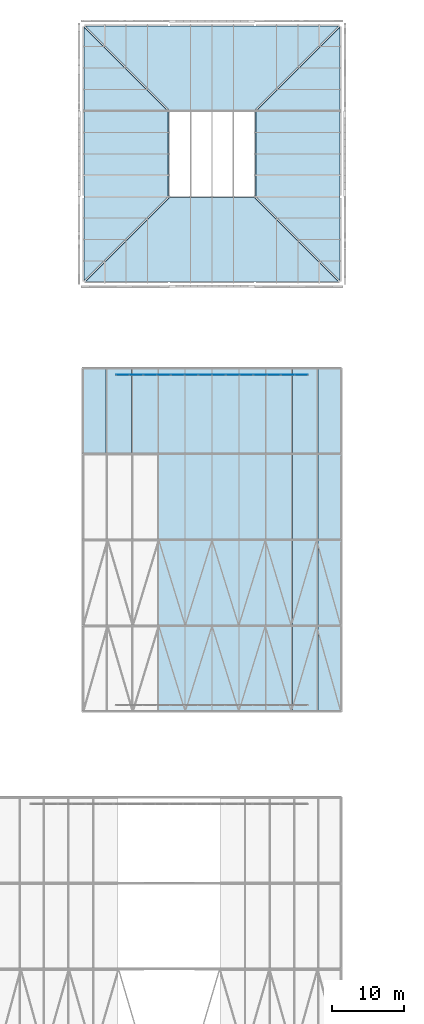
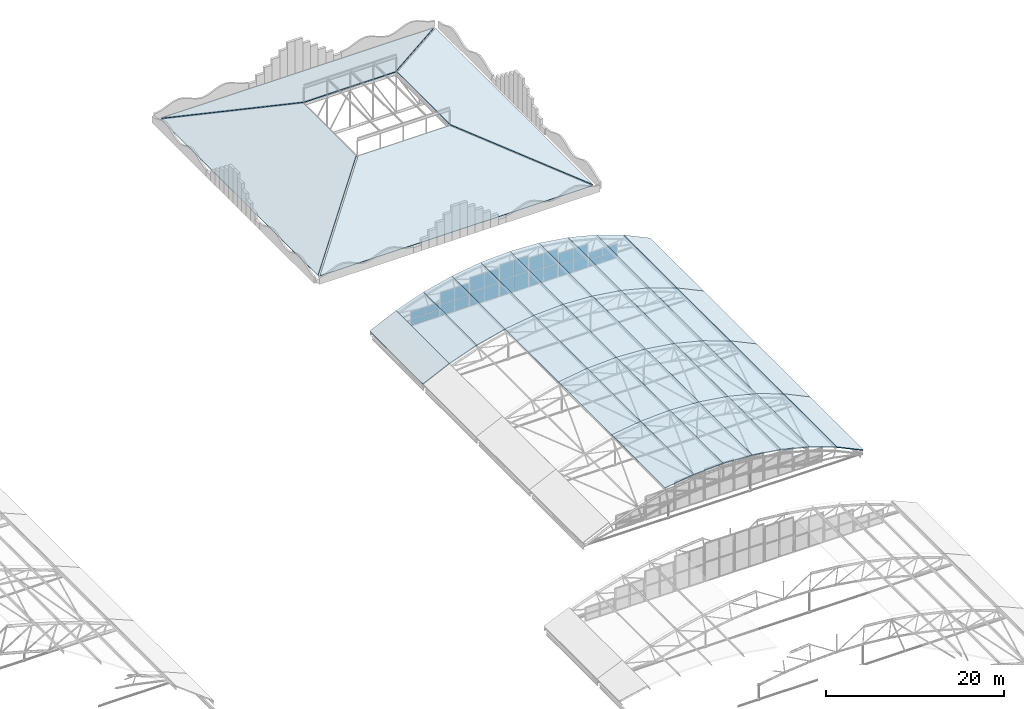
# One storey, part 254 of 321: 35 slabs, 28 plates, 7 elements without a shape of their own.
"""IFC4 building model written with IfcOpenShell, lengths in metres."""

from ifc_helpers import new_model, si_unit, direction, frame, origin, origin_2d, place, context, subcontext, project, spatial, polyline, rectangle, outline, extrude, material, layer, layer_set, type_object, element, aggregate, save


model = new_model("IFC4")

# Units and contexts
model_context = context("Model", 3, precision=1e-05, world=origin(), true_north=direction((0.0, 1.0)))
body_context = subcontext(model_context, "Body", "Model", "MODEL_VIEW")
ifc_project = project(units=[si_unit("LENGTHUNIT", "METRE"), si_unit("AREAUNIT", "SQUARE_METRE"), si_unit("VOLUMEUNIT", "CUBIC_METRE"), si_unit("PLANEANGLEUNIT", "RADIAN"), si_unit("MASSUNIT", "GRAM", prefix="KILO")], contexts=[model_context])

# Site, building, storey
site_placement = place(None, origin())
site = spatial("IfcSite", under=ifc_project, at=site_placement, CompositionType="ELEMENT")
building_placement = place(site_placement, origin())
building = spatial("IfcBuilding", under=site, at=building_placement, Name="Ravi Spectrum Wholesale Market", CompositionType="ELEMENT")
storey_placement = place(building_placement, frame((0.0, 0.0, 10.800048828125)))
storey = spatial("IfcBuildingStorey", under=building, at=storey_placement, Name="L02", CompositionType="ELEMENT", Elevation=10.800048828125)

# Curtain wall, plates
ifc_material_1 = material(Name="Aluminium 6063-T6", Category="aluminium")
ifc_layer_1 = layer(ifc_material_1, 0.14990234375)
ifc_layer_set_1 = layer_set([ifc_layer_1], Name="Aluminium 6063-T6")
curtain_wall_type = type_object("IfcCurtainWallType", Name="Curtain wall 150", PredefinedType="NOTDEFINED", material=ifc_layer_set_1)
curtain_wall_1_placement = place(storey_placement, origin())
curtain_wall_1 = element("IfcCurtainWall", 1, at=curtain_wall_1_placement, inside=storey, type_object=curtain_wall_type, Name="H3-CW-L02-008", PredefinedType="NOTDEFINED")
ifc_material_2 = material(Name="Toughened glass", Category="glass")
ifc_layer_2 = layer(ifc_material_2, 0.028076171875)
ifc_layer_set_2 = layer_set([ifc_layer_2], Name="Toughened glass")
plate_type_1 = type_object("IfcPlateType", Name="Glazing panel 28", PredefinedType="CURTAIN_PANEL", material=ifc_layer_set_2)
plate_1_placement = place(storey_placement, frame((167.510009765625, 185.10009765625, 0.06005859375), z_axis=(0.0, 0.0, 1.0), x_axis=(1.0, 0.0, 0.0)))
plate_1 = element("IfcPlate", 2, at=plate_1_placement, type_object=plate_type_1, Name="H3-CW-L02-008 panel 1.1", PredefinedType="CURTAIN_PANEL", context=body_context, shape_type="SweptSolid", body=[
    extrude(rectangle(XDim=1.796875, YDim=0.028076171875, at=origin_2d()), origin(), (0.0, 0.0, 1.0), 0.909912109375),
])
plate_2_placement = place(storey_placement, frame((167.510009765625, 185.10009765625, 1.02978515625), z_axis=(0.0, 0.0, 1.0), x_axis=(1.0, 0.0, 0.0)))
plate_2 = element("IfcPlate", 3, at=plate_2_placement, type_object=plate_type_1, Name="H3-CW-L02-008 panel 1.2", PredefinedType="CURTAIN_PANEL", context=body_context, shape_type="SweptSolid", body=[
    extrude(rectangle(XDim=1.796875, YDim=0.028076171875, at=origin_2d()), origin(), (0.0, 0.0, 1.0), 0.909912109375),
])
plate_3_placement = place(storey_placement, frame((169.366943359375, 185.10009765625, 0.06005859375), z_axis=(0.0, 0.0, 1.0), x_axis=(1.0, 0.0, 0.0)))
plate_3 = element("IfcPlate", 4, at=plate_3_placement, type_object=plate_type_1, Name="H3-CW-L02-008 panel 2.1", PredefinedType="CURTAIN_PANEL", context=body_context, shape_type="SweptSolid", body=[
    extrude(rectangle(XDim=1.796875, YDim=0.028076171875, at=origin_2d()), origin(), (0.0, 0.0, 1.0), 0.909912109375),
])
plate_4_placement = place(storey_placement, frame((169.366943359375, 185.10009765625, 1.02978515625), z_axis=(0.0, 0.0, 1.0), x_axis=(1.0, 0.0, 0.0)))
plate_4 = element("IfcPlate", 5, at=plate_4_placement, type_object=plate_type_1, Name="H3-CW-L02-008 panel 2.2", PredefinedType="CURTAIN_PANEL", context=body_context, shape_type="SweptSolid", body=[
    extrude(rectangle(XDim=1.796875, YDim=0.028076171875, at=origin_2d()), origin(), (0.0, 0.0, 1.0), 0.909912109375),
])
aggregate(curtain_wall_1, [plate_1, plate_2, plate_3, plate_4])

curtain_wall_2_placement = place(storey_placement, origin())
curtain_wall_2 = element("IfcCurtainWall", 6, at=curtain_wall_2_placement, inside=storey, type_object=curtain_wall_type, Name="H3-CW-L02-009", PredefinedType="NOTDEFINED")
plate_5_placement = place(storey_placement, frame((171.364013671875, 185.10009765625, 0.059814453125), z_axis=(0.0, 0.0, 1.0), x_axis=(1.0, 0.0, 0.0)))
plate_5 = element("IfcPlate", 7, at=plate_5_placement, type_object=plate_type_1, Name="H3-CW-L02-009 panel 1.1", PredefinedType="CURTAIN_PANEL", context=body_context, shape_type="SweptSolid", body=[
    extrude(rectangle(XDim=1.796875, YDim=0.028076171875, at=origin_2d()), origin(), (0.0, 0.0, 1.0), 1.56005859375),
])
plate_6_placement = place(storey_placement, frame((173.220703125, 185.10009765625, 0.059814453125), z_axis=(0.0, 0.0, 1.0), x_axis=(1.0, 0.0, 0.0)))
plate_6 = element("IfcPlate", 8, at=plate_6_placement, type_object=plate_type_1, Name="H3-CW-L02-009 panel 2.1", PredefinedType="CURTAIN_PANEL", context=body_context, shape_type="SweptSolid", body=[
    extrude(rectangle(XDim=1.796875, YDim=0.028076171875, at=origin_2d()), origin(), (0.0, 0.0, 1.0), 1.56005859375),
])

curtain_wall_3_placement = place(storey_placement, origin())
curtain_wall_3 = element("IfcCurtainWall", 9, at=curtain_wall_3_placement, inside=storey, type_object=curtain_wall_type, Name="H3-CW-L02-010", PredefinedType="NOTDEFINED")
plate_7_placement = place(storey_placement, frame((175.2177734375, 185.10009765625, 0.06005859375), z_axis=(0.0, 0.0, 1.0), x_axis=(1.0, 0.0, 0.0)))
plate_7 = element("IfcPlate", 10, at=plate_7_placement, type_object=plate_type_1, Name="H3-CW-L02-010 panel 1.1", PredefinedType="CURTAIN_PANEL", context=body_context, shape_type="SweptSolid", body=[
    extrude(rectangle(XDim=1.796875, YDim=0.028076171875, at=origin_2d()), origin(), (0.0, 0.0, 1.0), 1.909912109375),
])
plate_8_placement = place(storey_placement, frame((177.07470703125, 185.10009765625, 0.06005859375), z_axis=(0.0, 0.0, 1.0), x_axis=(1.0, 0.0, 0.0)))
plate_8 = element("IfcPlate", 11, at=plate_8_placement, type_object=plate_type_1, Name="H3-CW-L02-010 panel 2.1", PredefinedType="CURTAIN_PANEL", context=body_context, shape_type="SweptSolid", body=[
    extrude(rectangle(XDim=1.796875, YDim=0.028076171875, at=origin_2d()), origin(), (0.0, 0.0, 1.0), 1.909912109375),
])

curtain_wall_4_placement = place(storey_placement, origin())
curtain_wall_4 = element("IfcCurtainWall", 12, at=curtain_wall_4_placement, inside=storey, type_object=curtain_wall_type, Name="H3-CW-L02-011", PredefinedType="NOTDEFINED")
plate_9_placement = place(storey_placement, frame((179.071533203125, 185.10009765625, 0.06005859375), z_axis=(0.0, 0.0, 1.0), x_axis=(1.0, 0.0, 0.0)))
plate_9 = element("IfcPlate", 13, at=plate_9_placement, type_object=plate_type_1, Name="H3-CW-L02-011 panel 1.1", PredefinedType="CURTAIN_PANEL", context=body_context, shape_type="SweptSolid", body=[
    extrude(rectangle(XDim=1.796875, YDim=0.028076171875, at=origin_2d()), origin(), (0.0, 0.0, 1.0), 2.110107421875),
])
plate_10_placement = place(storey_placement, frame((180.928466796875, 185.10009765625, 0.06005859375), z_axis=(0.0, 0.0, 1.0), x_axis=(1.0, 0.0, 0.0)))
plate_10 = element("IfcPlate", 14, at=plate_10_placement, type_object=plate_type_1, Name="H3-CW-L02-011 panel 2.1", PredefinedType="CURTAIN_PANEL", context=body_context, shape_type="SweptSolid", body=[
    extrude(rectangle(XDim=1.796875, YDim=0.028076171875, at=origin_2d()), origin(), (0.0, 0.0, 1.0), 2.110107421875),
])

curtain_wall_5_placement = place(storey_placement, origin())
curtain_wall_5 = element("IfcCurtainWall", 15, at=curtain_wall_5_placement, inside=storey, type_object=curtain_wall_type, Name="H3-CW-L02-012", PredefinedType="NOTDEFINED")
plate_11_placement = place(storey_placement, frame((182.92529296875, 185.10009765625, 0.06005859375), z_axis=(0.0, 0.0, 1.0), x_axis=(1.0, 0.0, 0.0)))
plate_11 = element("IfcPlate", 16, at=plate_11_placement, type_object=plate_type_1, Name="H3-CW-L02-012 panel 1.1", PredefinedType="CURTAIN_PANEL", context=body_context, shape_type="SweptSolid", body=[
    extrude(rectangle(XDim=1.796875, YDim=0.028076171875, at=origin_2d()), origin(), (0.0, 0.0, 1.0), 1.909912109375),
])
plate_12_placement = place(storey_placement, frame((184.7822265625, 185.10009765625, 0.06005859375), z_axis=(0.0, 0.0, 1.0), x_axis=(1.0, 0.0, 0.0)))
plate_12 = element("IfcPlate", 17, at=plate_12_placement, type_object=plate_type_1, Name="H3-CW-L02-012 panel 2.1", PredefinedType="CURTAIN_PANEL", context=body_context, shape_type="SweptSolid", body=[
    extrude(rectangle(XDim=1.796875, YDim=0.028076171875, at=origin_2d()), origin(), (0.0, 0.0, 1.0), 1.909912109375),
])

curtain_wall_6_placement = place(storey_placement, origin())
curtain_wall_6 = element("IfcCurtainWall", 18, at=curtain_wall_6_placement, inside=storey, type_object=curtain_wall_type, Name="H3-CW-L02-013", PredefinedType="NOTDEFINED")
plate_13_placement = place(storey_placement, frame((186.779296875, 185.10009765625, 0.059814453125), z_axis=(0.0, 0.0, 1.0), x_axis=(1.0, 0.0, 0.0)))
plate_13 = element("IfcPlate", 19, at=plate_13_placement, type_object=plate_type_1, Name="H3-CW-L02-013 panel 1.1", PredefinedType="CURTAIN_PANEL", context=body_context, shape_type="SweptSolid", body=[
    extrude(rectangle(XDim=1.796875, YDim=0.028076171875, at=origin_2d()), origin(), (0.0, 0.0, 1.0), 1.56005859375),
])
plate_14_placement = place(storey_placement, frame((188.635986328125, 185.10009765625, 0.059814453125), z_axis=(0.0, 0.0, 1.0), x_axis=(1.0, 0.0, 0.0)))
plate_14 = element("IfcPlate", 20, at=plate_14_placement, type_object=plate_type_1, Name="H3-CW-L02-013 panel 2.1", PredefinedType="CURTAIN_PANEL", context=body_context, shape_type="SweptSolid", body=[
    extrude(rectangle(XDim=1.796875, YDim=0.028076171875, at=origin_2d()), origin(), (0.0, 0.0, 1.0), 1.56005859375),
])

curtain_wall_7_placement = place(storey_placement, origin())
curtain_wall_7 = element("IfcCurtainWall", 21, at=curtain_wall_7_placement, inside=storey, type_object=curtain_wall_type, Name="H3-CW-L02-014", PredefinedType="NOTDEFINED")
plate_15_placement = place(storey_placement, frame((190.633056640625, 185.10009765625, 0.06005859375), z_axis=(0.0, 0.0, 1.0), x_axis=(1.0, 0.0, 0.0)))
plate_15 = element("IfcPlate", 22, at=plate_15_placement, type_object=plate_type_1, Name="H3-CW-L02-014 panel 1.1", PredefinedType="CURTAIN_PANEL", context=body_context, shape_type="SweptSolid", body=[
    extrude(rectangle(XDim=1.796875, YDim=0.028076171875, at=origin_2d()), origin(), (0.0, 0.0, 1.0), 0.909912109375),
])
plate_16_placement = place(storey_placement, frame((190.633056640625, 185.10009765625, 1.02978515625), z_axis=(0.0, 0.0, 1.0), x_axis=(1.0, 0.0, 0.0)))
plate_16 = element("IfcPlate", 23, at=plate_16_placement, type_object=plate_type_1, Name="H3-CW-L02-014 panel 1.2", PredefinedType="CURTAIN_PANEL", context=body_context, shape_type="SweptSolid", body=[
    extrude(rectangle(XDim=1.796875, YDim=0.028076171875, at=origin_2d()), origin(), (0.0, 0.0, 1.0), 0.909912109375),
])
plate_17_placement = place(storey_placement, frame((192.489990234375, 185.10009765625, 0.06005859375), z_axis=(0.0, 0.0, 1.0), x_axis=(1.0, 0.0, 0.0)))
plate_17 = element("IfcPlate", 24, at=plate_17_placement, type_object=plate_type_1, Name="H3-CW-L02-014 panel 2.1", PredefinedType="CURTAIN_PANEL", context=body_context, shape_type="SweptSolid", body=[
    extrude(rectangle(XDim=1.796875, YDim=0.028076171875, at=origin_2d()), origin(), (0.0, 0.0, 1.0), 0.909912109375),
])
plate_18_placement = place(storey_placement, frame((192.489990234375, 185.10009765625, 1.02978515625), z_axis=(0.0, 0.0, 1.0), x_axis=(1.0, 0.0, 0.0)))
plate_18 = element("IfcPlate", 25, at=plate_18_placement, type_object=plate_type_1, Name="H3-CW-L02-014 panel 2.2", PredefinedType="CURTAIN_PANEL", context=body_context, shape_type="SweptSolid", body=[
    extrude(rectangle(XDim=1.796875, YDim=0.028076171875, at=origin_2d()), origin(), (0.0, 0.0, 1.0), 0.909912109375),
])
aggregate(curtain_wall_7, [plate_15, plate_16, plate_17, plate_18])

# Plate
ifc_material_3 = material(Name="Insulated panel")
ifc_layer_3 = layer(ifc_material_3, 0.028076171875)
ifc_layer_set_3 = layer_set([ifc_layer_3], Name="Insulated panel")
plate_type_2 = type_object("IfcPlateType", Name="Opaque insulated panel 28", PredefinedType="CURTAIN_PANEL", material=ifc_layer_set_3)
plate_19_placement = place(storey_placement, frame((171.364013671875, 185.10009765625, 1.679931640625), z_axis=(0.0, 0.0, 1.0), x_axis=(1.0, 0.0, 0.0)))
plate_19 = element("IfcPlate", 26, at=plate_19_placement, type_object=plate_type_2, Name="H3-CW-L02-009 panel 1.2", PredefinedType="CURTAIN_PANEL", context=body_context, shape_type="SweptSolid", body=[
    extrude(rectangle(XDim=1.796875, YDim=0.028076171875, at=origin_2d()), origin(), (0.0, 0.0, 1.0), 1.56005859375),
])

plate_20_placement = place(storey_placement, frame((173.220703125, 185.10009765625, 1.679931640625), z_axis=(0.0, 0.0, 1.0), x_axis=(1.0, 0.0, 0.0)))
plate_20 = element("IfcPlate", 27, at=plate_20_placement, type_object=plate_type_2, Name="H3-CW-L02-009 panel 2.2", PredefinedType="CURTAIN_PANEL", context=body_context, shape_type="SweptSolid", body=[
    extrude(rectangle(XDim=1.796875, YDim=0.028076171875, at=origin_2d()), origin(), (0.0, 0.0, 1.0), 1.56005859375),
])

aggregate(curtain_wall_2, [plate_5, plate_19, plate_6, plate_20])

plate_21_placement = place(storey_placement, frame((175.2177734375, 185.10009765625, 2.02978515625), z_axis=(0.0, 0.0, 1.0), x_axis=(1.0, 0.0, 0.0)))
plate_21 = element("IfcPlate", 28, at=plate_21_placement, type_object=plate_type_2, Name="H3-CW-L02-010 panel 1.2", PredefinedType="CURTAIN_PANEL", context=body_context, shape_type="SweptSolid", body=[
    extrude(rectangle(XDim=1.796875, YDim=0.028076171875, at=origin_2d()), origin(), (0.0, 0.0, 1.0), 1.909912109375),
])

plate_22_placement = place(storey_placement, frame((177.07470703125, 185.10009765625, 2.02978515625), z_axis=(0.0, 0.0, 1.0), x_axis=(1.0, 0.0, 0.0)))
plate_22 = element("IfcPlate", 29, at=plate_22_placement, type_object=plate_type_2, Name="H3-CW-L02-010 panel 2.2", PredefinedType="CURTAIN_PANEL", context=body_context, shape_type="SweptSolid", body=[
    extrude(rectangle(XDim=1.796875, YDim=0.028076171875, at=origin_2d()), origin(), (0.0, 0.0, 1.0), 1.909912109375),
])

aggregate(curtain_wall_3, [plate_7, plate_21, plate_8, plate_22])

plate_23_placement = place(storey_placement, frame((179.071533203125, 185.10009765625, 2.22998046875), z_axis=(0.0, 0.0, 1.0), x_axis=(1.0, 0.0, 0.0)))
plate_23 = element("IfcPlate", 30, at=plate_23_placement, type_object=plate_type_2, Name="H3-CW-L02-011 panel 1.2", PredefinedType="CURTAIN_PANEL", context=body_context, shape_type="SweptSolid", body=[
    extrude(rectangle(XDim=1.796875, YDim=0.028076171875, at=origin_2d()), origin(), (0.0, 0.0, 1.0), 2.110107421875),
])

plate_24_placement = place(storey_placement, frame((180.928466796875, 185.10009765625, 2.22998046875), z_axis=(0.0, 0.0, 1.0), x_axis=(1.0, 0.0, 0.0)))
plate_24 = element("IfcPlate", 31, at=plate_24_placement, type_object=plate_type_2, Name="H3-CW-L02-011 panel 2.2", PredefinedType="CURTAIN_PANEL", context=body_context, shape_type="SweptSolid", body=[
    extrude(rectangle(XDim=1.796875, YDim=0.028076171875, at=origin_2d()), origin(), (0.0, 0.0, 1.0), 2.110107421875),
])

aggregate(curtain_wall_4, [plate_9, plate_23, plate_10, plate_24])

plate_25_placement = place(storey_placement, frame((182.92529296875, 185.10009765625, 2.02978515625), z_axis=(0.0, 0.0, 1.0), x_axis=(1.0, 0.0, 0.0)))
plate_25 = element("IfcPlate", 32, at=plate_25_placement, type_object=plate_type_2, Name="H3-CW-L02-012 panel 1.2", PredefinedType="CURTAIN_PANEL", context=body_context, shape_type="SweptSolid", body=[
    extrude(rectangle(XDim=1.796875, YDim=0.028076171875, at=origin_2d()), origin(), (0.0, 0.0, 1.0), 1.909912109375),
])

plate_26_placement = place(storey_placement, frame((184.7822265625, 185.10009765625, 2.02978515625), z_axis=(0.0, 0.0, 1.0), x_axis=(1.0, 0.0, 0.0)))
plate_26 = element("IfcPlate", 33, at=plate_26_placement, type_object=plate_type_2, Name="H3-CW-L02-012 panel 2.2", PredefinedType="CURTAIN_PANEL", context=body_context, shape_type="SweptSolid", body=[
    extrude(rectangle(XDim=1.796875, YDim=0.028076171875, at=origin_2d()), origin(), (0.0, 0.0, 1.0), 1.909912109375),
])

aggregate(curtain_wall_5, [plate_11, plate_25, plate_12, plate_26])

plate_27_placement = place(storey_placement, frame((186.779296875, 185.10009765625, 1.679931640625), z_axis=(0.0, 0.0, 1.0), x_axis=(1.0, 0.0, 0.0)))
plate_27 = element("IfcPlate", 34, at=plate_27_placement, type_object=plate_type_2, Name="H3-CW-L02-013 panel 1.2", PredefinedType="CURTAIN_PANEL", context=body_context, shape_type="SweptSolid", body=[
    extrude(rectangle(XDim=1.796875, YDim=0.028076171875, at=origin_2d()), origin(), (0.0, 0.0, 1.0), 1.56005859375),
])

plate_28_placement = place(storey_placement, frame((188.635986328125, 185.10009765625, 1.679931640625), z_axis=(0.0, 0.0, 1.0), x_axis=(1.0, 0.0, 0.0)))
plate_28 = element("IfcPlate", 35, at=plate_28_placement, type_object=plate_type_2, Name="H3-CW-L02-013 panel 2.2", PredefinedType="CURTAIN_PANEL", context=body_context, shape_type="SweptSolid", body=[
    extrude(rectangle(XDim=1.796875, YDim=0.028076171875, at=origin_2d()), origin(), (0.0, 0.0, 1.0), 1.56005859375),
])

aggregate(curtain_wall_6, [plate_13, plate_27, plate_14, plate_28])

# Slabs
ifc_material_4 = material(Name="Steel S355", Category="steel")
ifc_layer_4 = layer(ifc_material_4, 0.1201171875)
ifc_layer_set_4 = layer_set([ifc_layer_4], Name="Steel S355")
slab_type_1 = type_object("IfcSlabType", Name="Roof deck 120", PredefinedType="ROOF", material=ifc_layer_set_4)
slab_1_placement = place(storey_placement, frame((162.289794921875, 198.1201171875, 0.51318359375), z_axis=(0.0, -0.406581899828, 0.913614338073), x_axis=(0.674506806973, 0.67449280405, 0.300166661427)))
element("IfcSlab", 36, at=slab_1_placement, inside=storey, type_object=slab_type_1, Name="Hipped roof deck", PredefinedType="ROOF", context=body_context, shape_type="SweptSolid", body=[
    extrude(outline(polyline([(0.0, 0.0), (17.434975665258456, 2.220446049250313e-16), (25.46187014745833, -8.785685061463168), (23.891307756165325, -26.14977761544394), (0.0, 0.0)])), origin(), (0.0, 0.0, -1.0), 0.1201171875),
])
for number, where, z_axis, x_axis, name in (
    (37, (162.289794921875, 233.8798828125, 0.51318359375), (0.0, 0.406581899828, 0.913614338073), (1.0, 0.0, 0.0), "Hipped roof deck"),
    (38, (162.1201171875, 198.289794921875, 0.51318359375), (-0.406581899828, 0.0, 0.913614338073), (0.0, 1.0, 0.0), "Hipped roof deck"),
):
    element("IfcSlab", number, at=place(storey_placement, frame(where, z_axis=z_axis, x_axis=x_axis)), inside=storey, type_object=slab_type_1, Name=name, PredefinedType="ROOF", context=body_context, shape_type="SweptSolid", body=[
        extrude(outline(polyline([(0.0, 0.0), (35.42041015625, 0.0), (23.660400390625, -12.871695566651624), (11.760009765625, -12.871695566651624), (0.0, 0.0)])), origin(), (0.0, 0.0, -1.0), 0.1201171875),
    ])
slab_2_placement = place(storey_placement, frame((197.8798828125, 198.289794921875, 0.51318359375), z_axis=(0.406581899828, 0.0, 0.913614338073), x_axis=(-0.67449280405, 0.674506806973, 0.300166661427)))
element("IfcSlab", 39, at=slab_2_placement, inside=storey, type_object=slab_type_1, Name="Hipped roof deck", PredefinedType="ROOF", context=body_context, shape_type="SweptSolid", body=[
    extrude(outline(polyline([(0.0, 0.0), (17.434975665258456, 2.220446049250313e-16), (25.46187014745833, -8.785685061463168), (23.891307756165325, -26.14977761544394), (0.0, 0.0)])), origin(), (0.0, 0.0, -1.0), 0.1201171875),
])
ifc_material_5 = material(Name="Steel S355", Category="steel")
ifc_layer_5 = layer(ifc_material_5, 0.1201171875)
ifc_layer_set_5 = layer_set([ifc_layer_5], Name="Steel S355")
slab_type_2 = type_object("IfcSlabType", Name="Roof panel 120", PredefinedType="ROOF", material=ifc_layer_set_5)
slab_3_placement = place(storey_placement, frame((172.454833984375, 138.0, 4.28515625), z_axis=(-0.146429483954, 0.0, 0.989221110889), x_axis=(0.989221110889, 0.0, 0.146429483954)))
element("IfcSlab", 40, at=slab_3_placement, inside=storey, type_object=slab_type_2, Name="H3-SL-L02-004", PredefinedType="ROOF", context=body_context, shape_type="SweptSolid", body=[
    extrude(outline(polyline([(0.0, 0.0), (3.786418857744735, 0.0), (3.786418857744735, 12.0), (0.0, 12.0), (0.0, 0.0)])), origin(), (0.0, 0.0, -1.0), 0.1201171875),
])
for number, where, z_axis, x_axis, name in (
    (41, (176.212158203125, 138.0, 4.8408203125), (-0.049001807778, 0.0, 0.998798689844), (0.998798689844, 0.0, 0.049001807778), "H3-SL-L02-005"),
    (42, (180.005859375, 138.0, 5.0263671875), (0.049001807778, 0.0, 0.998798689844), (0.998798689844, 0.0, -0.049001807778), "H3-SL-L02-006"),
):
    element("IfcSlab", number, at=place(storey_placement, frame(where, z_axis=z_axis, x_axis=x_axis)), inside=storey, type_object=slab_type_2, Name=name, PredefinedType="ROOF", context=body_context, shape_type="SweptSolid", body=[
        extrude(outline(polyline([(0.0, 0.0), (3.7865312202850983, 0.0), (3.7865312202850983, 12.000000000000004), (0.0, 12.000000000000004), (0.0, 0.0)])), origin(), (0.0, 0.0, -1.0), 0.1201171875),
    ])
slab_4_placement = place(storey_placement, frame((183.799560546875, 138.0, 4.839599609375), z_axis=(0.146429483954, 0.0, 0.989221110889), x_axis=(0.989221110889, 0.0, -0.146429483954)))
element("IfcSlab", 43, at=slab_4_placement, inside=storey, type_object=slab_type_2, Name="H3-SL-L02-007", PredefinedType="ROOF", context=body_context, shape_type="SweptSolid", body=[
    extrude(outline(polyline([(0.0, 0.0), (3.786418857744735, 0.0), (3.786418857744735, 12.0), (0.0, 12.0), (0.0, 0.0)])), origin(), (0.0, 0.0, -1.0), 0.1201171875),
])
slab_5_placement = place(storey_placement, frame((187.556640625, 138.0, 4.282958984375), z_axis=(0.242550795335, 0.0, 0.970138707445), x_axis=(0.970138707445, 0.0, -0.242550795335)))
element("IfcSlab", 44, at=slab_5_placement, inside=storey, type_object=slab_type_2, Name="H3-SL-L02-008", PredefinedType="ROOF", context=body_context, shape_type="SweptSolid", body=[
    extrude(outline(polyline([(0.0, 0.0), (3.7866585017016074, 0.0), (3.7866585017016074, 12.0), (0.0, 12.0), (0.0, 0.0)])), origin(), (0.0, 0.0, -1.0), 0.1201171875),
])
slab_6_placement = place(storey_placement, frame((191.241455078125, 138.0, 3.361083984375), z_axis=(0.3363118898, 0.0, 0.941750663806), x_axis=(0.941750663806, 0.0, -0.3363118898)))
element("IfcSlab", 45, at=slab_6_placement, inside=storey, type_object=slab_type_2, Name="H3-SL-L02-009", PredefinedType="ROOF", context=body_context, shape_type="SweptSolid", body=[
    extrude(outline(polyline([(0.0, 0.0), (3.7864777863154533, 0.0), (3.7864777863154533, 12.0), (0.0, 12.0), (0.0, 0.0)])), origin(), (0.0, 0.0, -1.0), 0.1201171875),
])
slab_7_placement = place(storey_placement, frame((194.818115234375, 138.0, 2.083251953125), z_axis=(0.426827636959, 0.0, 0.904332996372), x_axis=(0.904332996372, 0.0, -0.426827636959)))
element("IfcSlab", 46, at=slab_7_placement, inside=storey, type_object=slab_type_2, Name="H3-SL-L02-010", PredefinedType="ROOF", context=body_context, shape_type="SweptSolid", body=[
    extrude(outline(polyline([(0.0, 0.0), (3.7865658114718594, 0.0), (3.7865658114718594, 12.0), (0.0, 12.0), (0.0, 0.0)])), origin(), (0.0, 0.0, -1.0), 0.1201171875),
])
slab_8_placement = place(storey_placement, frame((172.454833984375, 150.0, 4.28515625), z_axis=(-0.146429483954, 0.0, 0.989221110889), x_axis=(0.989221110889, 0.0, 0.146429483954)))
element("IfcSlab", 47, at=slab_8_placement, inside=storey, type_object=slab_type_2, Name="H3-SL-L02-014", PredefinedType="ROOF", context=body_context, shape_type="SweptSolid", body=[
    extrude(outline(polyline([(0.0, 0.0), (3.786418857744735, 0.0), (3.786418857744735, 12.0), (0.0, 12.0), (0.0, 0.0)])), origin(), (0.0, 0.0, -1.0), 0.1201171875),
])
for number, where, z_axis, x_axis, name in (
    (48, (176.212158203125, 150.0, 4.8408203125), (-0.049001807778, 0.0, 0.998798689844), (0.998798689844, 0.0, 0.049001807778), "H3-SL-L02-015"),
    (49, (180.005859375, 150.0, 5.0263671875), (0.049001807778, 0.0, 0.998798689844), (0.998798689844, 0.0, -0.049001807778), "H3-SL-L02-016"),
):
    element("IfcSlab", number, at=place(storey_placement, frame(where, z_axis=z_axis, x_axis=x_axis)), inside=storey, type_object=slab_type_2, Name=name, PredefinedType="ROOF", context=body_context, shape_type="SweptSolid", body=[
        extrude(outline(polyline([(0.0, 0.0), (3.7865312202850983, 0.0), (3.7865312202850983, 12.000000000000004), (0.0, 12.000000000000004), (0.0, 0.0)])), origin(), (0.0, 0.0, -1.0), 0.1201171875),
    ])
slab_9_placement = place(storey_placement, frame((183.799560546875, 150.0, 4.839599609375), z_axis=(0.146429483954, 0.0, 0.989221110889), x_axis=(0.989221110889, 0.0, -0.146429483954)))
element("IfcSlab", 50, at=slab_9_placement, inside=storey, type_object=slab_type_2, Name="H3-SL-L02-017", PredefinedType="ROOF", context=body_context, shape_type="SweptSolid", body=[
    extrude(outline(polyline([(0.0, 0.0), (3.786418857744735, 0.0), (3.786418857744735, 12.0), (0.0, 12.0), (0.0, 0.0)])), origin(), (0.0, 0.0, -1.0), 0.1201171875),
])
slab_10_placement = place(storey_placement, frame((187.556640625, 150.0, 4.282958984375), z_axis=(0.242550795335, 0.0, 0.970138707445), x_axis=(0.970138707445, 0.0, -0.242550795335)))
element("IfcSlab", 51, at=slab_10_placement, inside=storey, type_object=slab_type_2, Name="H3-SL-L02-018", PredefinedType="ROOF", context=body_context, shape_type="SweptSolid", body=[
    extrude(outline(polyline([(0.0, 0.0), (3.7866585017016074, 0.0), (3.7866585017016074, 12.0), (0.0, 12.0), (0.0, 0.0)])), origin(), (0.0, 0.0, -1.0), 0.1201171875),
])
slab_11_placement = place(storey_placement, frame((191.241455078125, 150.0, 3.361083984375), z_axis=(0.3363118898, 0.0, 0.941750663806), x_axis=(0.941750663806, 0.0, -0.3363118898)))
element("IfcSlab", 52, at=slab_11_placement, inside=storey, type_object=slab_type_2, Name="H3-SL-L02-019", PredefinedType="ROOF", context=body_context, shape_type="SweptSolid", body=[
    extrude(outline(polyline([(0.0, 0.0), (3.7864777863154533, 0.0), (3.7864777863154533, 12.0), (0.0, 12.0), (0.0, 0.0)])), origin(), (0.0, 0.0, -1.0), 0.1201171875),
])
slab_12_placement = place(storey_placement, frame((194.818115234375, 150.0, 2.083251953125), z_axis=(0.426827636959, 0.0, 0.904332996372), x_axis=(0.904332996372, 0.0, -0.426827636959)))
element("IfcSlab", 53, at=slab_12_placement, inside=storey, type_object=slab_type_2, Name="H3-SL-L02-020", PredefinedType="ROOF", context=body_context, shape_type="SweptSolid", body=[
    extrude(outline(polyline([(0.0, 0.0), (3.7865658114718594, 0.0), (3.7865658114718594, 12.0), (0.0, 12.0), (0.0, 0.0)])), origin(), (0.0, 0.0, -1.0), 0.1201171875),
])
slab_13_placement = place(storey_placement, frame((172.454833984375, 162.0, 4.28515625), z_axis=(-0.146429483954, 0.0, 0.989221110889), x_axis=(0.989221110889, 0.0, 0.146429483954)))
element("IfcSlab", 54, at=slab_13_placement, inside=storey, type_object=slab_type_2, Name="H3-SL-L02-024", PredefinedType="ROOF", context=body_context, shape_type="SweptSolid", body=[
    extrude(outline(polyline([(0.0, 0.0), (3.786418857744735, 0.0), (3.786418857744735, 12.0), (0.0, 12.0), (0.0, 0.0)])), origin(), (0.0, 0.0, -1.0), 0.1201171875),
])
for number, where, z_axis, x_axis, name in (
    (55, (176.212158203125, 162.0, 4.8408203125), (-0.049001807778, 0.0, 0.998798689844), (0.998798689844, 0.0, 0.049001807778), "H3-SL-L02-025"),
    (56, (180.005859375, 162.0, 5.0263671875), (0.049001807778, 0.0, 0.998798689844), (0.998798689844, 0.0, -0.049001807778), "H3-SL-L02-026"),
):
    element("IfcSlab", number, at=place(storey_placement, frame(where, z_axis=z_axis, x_axis=x_axis)), inside=storey, type_object=slab_type_2, Name=name, PredefinedType="ROOF", context=body_context, shape_type="SweptSolid", body=[
        extrude(outline(polyline([(0.0, 0.0), (3.7865312202850983, 0.0), (3.7865312202850983, 12.000000000000004), (0.0, 12.000000000000004), (0.0, 0.0)])), origin(), (0.0, 0.0, -1.0), 0.1201171875),
    ])
slab_14_placement = place(storey_placement, frame((183.799560546875, 162.0, 4.839599609375), z_axis=(0.146429483954, 0.0, 0.989221110889), x_axis=(0.989221110889, 0.0, -0.146429483954)))
element("IfcSlab", 57, at=slab_14_placement, inside=storey, type_object=slab_type_2, Name="H3-SL-L02-027", PredefinedType="ROOF", context=body_context, shape_type="SweptSolid", body=[
    extrude(outline(polyline([(0.0, 0.0), (3.786418857744735, 0.0), (3.786418857744735, 12.0), (0.0, 12.0), (0.0, 0.0)])), origin(), (0.0, 0.0, -1.0), 0.1201171875),
])
slab_15_placement = place(storey_placement, frame((187.556640625, 162.0, 4.282958984375), z_axis=(0.242550795335, 0.0, 0.970138707445), x_axis=(0.970138707445, 0.0, -0.242550795335)))
element("IfcSlab", 58, at=slab_15_placement, inside=storey, type_object=slab_type_2, Name="H3-SL-L02-028", PredefinedType="ROOF", context=body_context, shape_type="SweptSolid", body=[
    extrude(outline(polyline([(0.0, 0.0), (3.7866585017016074, 0.0), (3.7866585017016074, 12.0), (0.0, 12.0), (0.0, 0.0)])), origin(), (0.0, 0.0, -1.0), 0.1201171875),
])
slab_16_placement = place(storey_placement, frame((191.241455078125, 162.0, 3.361083984375), z_axis=(0.3363118898, 0.0, 0.941750663806), x_axis=(0.941750663806, 0.0, -0.3363118898)))
element("IfcSlab", 59, at=slab_16_placement, inside=storey, type_object=slab_type_2, Name="H3-SL-L02-029", PredefinedType="ROOF", context=body_context, shape_type="SweptSolid", body=[
    extrude(outline(polyline([(0.0, 0.0), (3.7864777863154533, 0.0), (3.7864777863154533, 12.0), (0.0, 12.0), (0.0, 0.0)])), origin(), (0.0, 0.0, -1.0), 0.1201171875),
])
for number, where, z_axis, x_axis, name in (
    (60, (194.818115234375, 162.0, 2.083251953125), (0.426827636959, 0.0, 0.904332996372), (0.904332996372, 0.0, -0.426827636959), "H3-SL-L02-030"),
    (61, (161.757568359375, 174.0, 0.467041015625), (-0.426827636959, 0.0, 0.904332996372), (0.904332996372, 0.0, 0.426827636959), "H3-SL-L02-031"),
):
    element("IfcSlab", number, at=place(storey_placement, frame(where, z_axis=z_axis, x_axis=x_axis)), inside=storey, type_object=slab_type_2, Name=name, PredefinedType="ROOF", context=body_context, shape_type="SweptSolid", body=[
        extrude(outline(polyline([(0.0, 0.0), (3.7865658114718594, 0.0), (3.7865658114718594, 12.0), (0.0, 12.0), (0.0, 0.0)])), origin(), (0.0, 0.0, -1.0), 0.1201171875),
    ])
slab_17_placement = place(storey_placement, frame((165.192626953125, 174.0, 2.087646484375), z_axis=(-0.3363118898, 0.0, 0.941750663806), x_axis=(0.941750663806, 0.0, 0.3363118898)))
element("IfcSlab", 62, at=slab_17_placement, inside=storey, type_object=slab_type_2, Name="H3-SL-L02-032", PredefinedType="ROOF", context=body_context, shape_type="SweptSolid", body=[
    extrude(outline(polyline([(0.0, 0.0), (3.7864777863154533, 0.0), (3.7864777863154533, 12.0), (0.0, 12.0), (0.0, 0.0)])), origin(), (0.0, 0.0, -1.0), 0.1201171875),
])
slab_18_placement = place(storey_placement, frame((168.769775390625, 174.0, 3.364501953125), z_axis=(-0.242550795335, 0.0, 0.970138707445), x_axis=(0.970138707445, 0.0, 0.242550795335)))
element("IfcSlab", 63, at=slab_18_placement, inside=storey, type_object=slab_type_2, Name="H3-SL-L02-033", PredefinedType="ROOF", context=body_context, shape_type="SweptSolid", body=[
    extrude(outline(polyline([(0.0, 0.0), (3.7866585017016074, 0.0), (3.7866585017016074, 12.0), (0.0, 12.0), (0.0, 0.0)])), origin(), (0.0, 0.0, -1.0), 0.1201171875),
])
slab_19_placement = place(storey_placement, frame((172.454833984375, 174.0, 4.28515625), z_axis=(-0.146429483954, 0.0, 0.989221110889), x_axis=(0.989221110889, 0.0, 0.146429483954)))
element("IfcSlab", 64, at=slab_19_placement, inside=storey, type_object=slab_type_2, Name="H3-SL-L02-034", PredefinedType="ROOF", context=body_context, shape_type="SweptSolid", body=[
    extrude(outline(polyline([(0.0, 0.0), (3.786418857744735, 0.0), (3.786418857744735, 12.0), (0.0, 12.0), (0.0, 0.0)])), origin(), (0.0, 0.0, -1.0), 0.1201171875),
])
for number, where, z_axis, x_axis, name in (
    (65, (176.212158203125, 174.0, 4.8408203125), (-0.049001807778, 0.0, 0.998798689844), (0.998798689844, 0.0, 0.049001807778), "H3-SL-L02-035"),
    (66, (180.005859375, 174.0, 5.0263671875), (0.049001807778, 0.0, 0.998798689844), (0.998798689844, 0.0, -0.049001807778), "H3-SL-L02-036"),
):
    element("IfcSlab", number, at=place(storey_placement, frame(where, z_axis=z_axis, x_axis=x_axis)), inside=storey, type_object=slab_type_2, Name=name, PredefinedType="ROOF", context=body_context, shape_type="SweptSolid", body=[
        extrude(outline(polyline([(0.0, 0.0), (3.7865312202850983, 0.0), (3.7865312202850983, 12.000000000000004), (0.0, 12.000000000000004), (0.0, 0.0)])), origin(), (0.0, 0.0, -1.0), 0.1201171875),
    ])
slab_20_placement = place(storey_placement, frame((183.799560546875, 174.0, 4.839599609375), z_axis=(0.146429483954, 0.0, 0.989221110889), x_axis=(0.989221110889, 0.0, -0.146429483954)))
element("IfcSlab", 67, at=slab_20_placement, inside=storey, type_object=slab_type_2, Name="H3-SL-L02-037", PredefinedType="ROOF", context=body_context, shape_type="SweptSolid", body=[
    extrude(outline(polyline([(0.0, 0.0), (3.786418857744735, 0.0), (3.786418857744735, 12.0), (0.0, 12.0), (0.0, 0.0)])), origin(), (0.0, 0.0, -1.0), 0.1201171875),
])
slab_21_placement = place(storey_placement, frame((187.556640625, 174.0, 4.282958984375), z_axis=(0.242550795335, 0.0, 0.970138707445), x_axis=(0.970138707445, 0.0, -0.242550795335)))
element("IfcSlab", 68, at=slab_21_placement, inside=storey, type_object=slab_type_2, Name="H3-SL-L02-038", PredefinedType="ROOF", context=body_context, shape_type="SweptSolid", body=[
    extrude(outline(polyline([(0.0, 0.0), (3.7866585017016074, 0.0), (3.7866585017016074, 12.0), (0.0, 12.0), (0.0, 0.0)])), origin(), (0.0, 0.0, -1.0), 0.1201171875),
])
slab_22_placement = place(storey_placement, frame((191.241455078125, 174.0, 3.361083984375), z_axis=(0.3363118898, 0.0, 0.941750663806), x_axis=(0.941750663806, 0.0, -0.3363118898)))
element("IfcSlab", 69, at=slab_22_placement, inside=storey, type_object=slab_type_2, Name="H3-SL-L02-039", PredefinedType="ROOF", context=body_context, shape_type="SweptSolid", body=[
    extrude(outline(polyline([(0.0, 0.0), (3.7864777863154533, 0.0), (3.7864777863154533, 12.0), (0.0, 12.0), (0.0, 0.0)])), origin(), (0.0, 0.0, -1.0), 0.1201171875),
])
slab_23_placement = place(storey_placement, frame((194.818115234375, 174.0, 2.083251953125), z_axis=(0.426827636959, 0.0, 0.904332996372), x_axis=(0.904332996372, 0.0, -0.426827636959)))
element("IfcSlab", 70, at=slab_23_placement, inside=storey, type_object=slab_type_2, Name="H3-SL-L02-040", PredefinedType="ROOF", context=body_context, shape_type="SweptSolid", body=[
    extrude(outline(polyline([(0.0, 0.0), (3.7865658114718594, 0.0), (3.7865658114718594, 12.0), (0.0, 12.0), (0.0, 0.0)])), origin(), (0.0, 0.0, -1.0), 0.1201171875),
])

save(model, "model.ifc")
